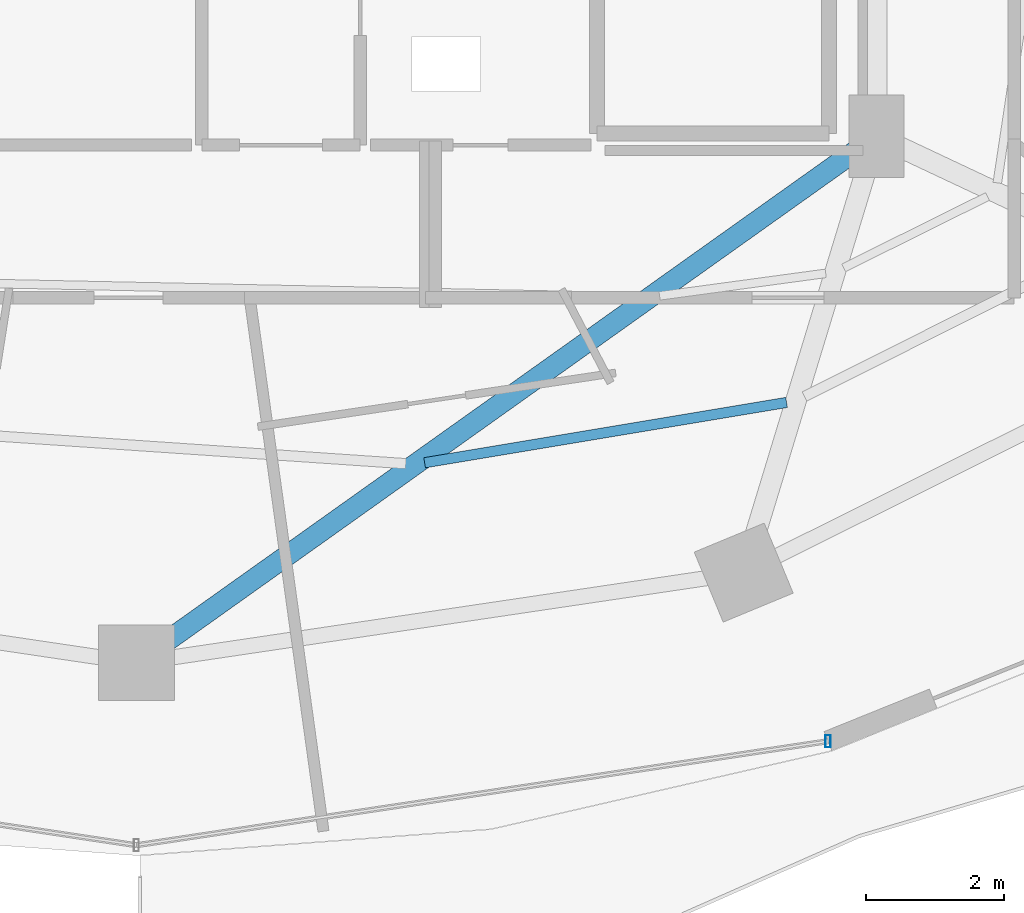
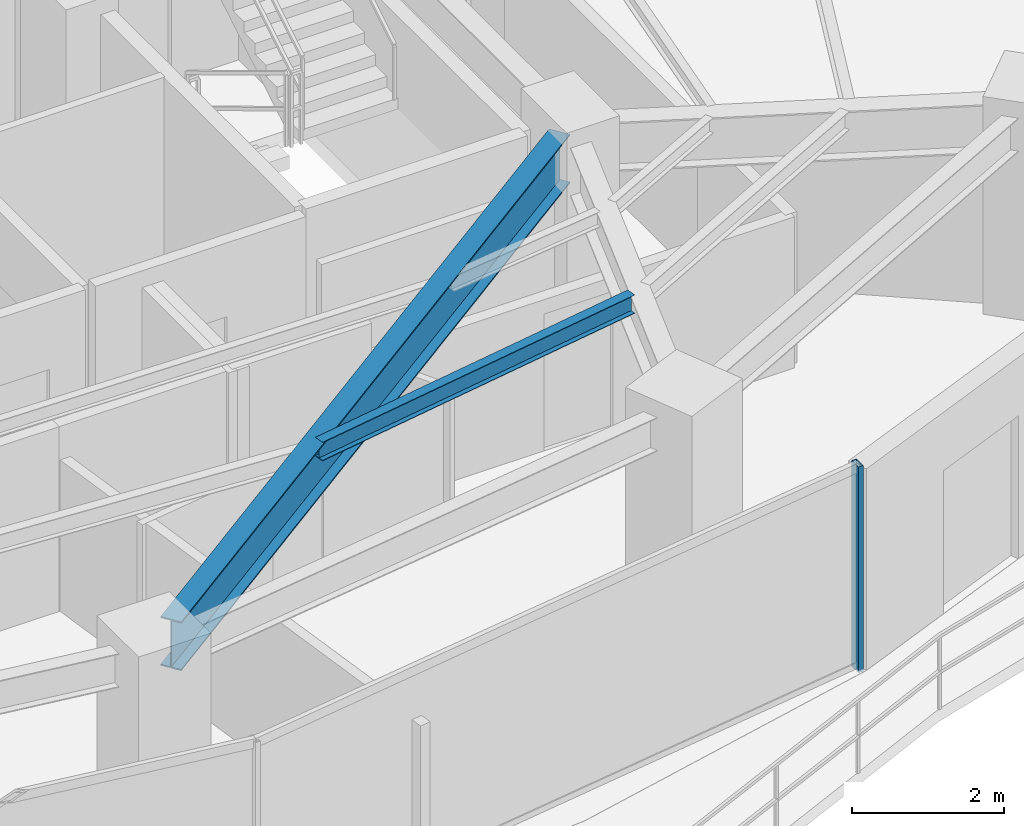
# One storey, part 10 of 30: 2 beams, 1 member, 1 element without a shape of its own.
"""IFC4 building model written with IfcOpenShell, lengths in metres."""

import ifcopenshell
import ifcopenshell.guid

model = None  # the IFC model being written
_history = None  # IfcOwnerHistory: only IFC2X3 demands one
_inside = {}  # id of a spatial element -> (the spatial element, [elements in it])
_under = {}  # id of a project, library or spatial element -> (it, [spatial elements below it])
_declared = {}  # id of a project -> (the project, [libraries it declares])
_typed = {}  # id of a type object -> (the type object, [elements of that type])
_made_of = {}  # id of a material, layer set ... -> (it, [elements and type objects made of it])


def new_model(schema):
    """Start an empty IFC model of exactly this schema.

    Asked for "IFC4X3", IfcOpenShell would pick the latest addendum, in which some entities
    have other attributes; the version numbers below select the first issue.
    IFC2X3 requires an IfcOwnerHistory on every rooted entity: one is made here for all.
    """
    global model, _history
    if schema == "IFC4X3":
        model = ifcopenshell.file(schema_version=(4, 3, 0, 0))
    else:
        model = ifcopenshell.file(schema=schema)
    _inside.clear()
    _under.clear()
    _declared.clear()
    _typed.clear()
    _made_of.clear()
    _history = None
    if model.schema == "IFC2X3":
        org = make("IfcOrganization", Name="unknown")
        user = make(
            "IfcPersonAndOrganization",
            ThePerson=make("IfcPerson", FamilyName="unknown"),
            TheOrganization=org,
        )
        app = make(
            "IfcApplication",
            ApplicationDeveloper=org,
            Version="unknown",
            ApplicationFullName="unknown",
            ApplicationIdentifier="unknown",
        )
        _history = make(
            "IfcOwnerHistory",
            OwningUser=user,
            OwningApplication=app,
            ChangeAction="ADDED",
            CreationDate=0,
        )
    return model


def make(cls, **values):
    """One entity of the class cls with the attributes given. An attribute that is None is left unset."""
    return model.create_entity(
        cls, **{name: value for name, value in values.items() if value is not None}
    )


def rooted(cls, **values):
    """An entity with a GlobalId (a new one), such as an element, a storey or a relation."""
    return make(cls, GlobalId=ifcopenshell.guid.new(), OwnerHistory=_history, **values)


def si_unit(unit_type, name, prefix=None):
    """IfcSIUnit, for example si_unit("LENGTHUNIT", "METRE", prefix="MILLI")."""
    return make("IfcSIUnit", UnitType=unit_type, Prefix=prefix, Name=name)


def assignment(units):
    """IfcUnitAssignment: the units of a project."""
    return None if units is None else make("IfcUnitAssignment", Units=units)


def point(xyz):
    """IfcCartesianPoint."""
    return None if xyz is None else make("IfcCartesianPoint", Coordinates=xyz)


def direction(xyz):
    """IfcDirection."""
    return None if xyz is None else make("IfcDirection", DirectionRatios=xyz)


def frame(location, z_axis=None, x_axis=None):
    """IfcAxis2Placement3D, a coordinate frame: its origin and axes. An axis left out is left unset."""
    return make(
        "IfcAxis2Placement3D",
        Location=point(location),
        Axis=direction(z_axis),
        RefDirection=direction(x_axis),
    )


def frame_2d(location, x_axis=None):
    """IfcAxis2Placement2D, a coordinate frame in the plane: its origin and x axis."""
    return make(
        "IfcAxis2Placement2D", Location=point(location), RefDirection=direction(x_axis)
    )


def origin():
    """The frame at (0, 0, 0) with its axes left unset."""
    return frame((0.0, 0.0, 0.0))


def origin_2d():
    """The frame at (0, 0) in the plane with its x axis left unset."""
    return frame_2d((0.0, 0.0))


def place(relative_to, where):
    """IfcLocalPlacement: puts the frame where relative to a parent placement (None: the world)."""
    return make(
        "IfcLocalPlacement", PlacementRelTo=relative_to, RelativePlacement=where
    )


def context(
    kind, dimensions, precision=None, world=None, true_north=None, identifier=None
):
    """IfcGeometricRepresentationContext, for example the 3D "Model" context."""
    return make(
        "IfcGeometricRepresentationContext",
        ContextIdentifier=identifier,
        ContextType=kind,
        CoordinateSpaceDimension=dimensions,
        Precision=precision,
        WorldCoordinateSystem=world,
        TrueNorth=true_north,
    )


def subcontext(parent, identifier, kind, view, scale=None):
    """IfcGeometricRepresentationSubContext, for example "Body" below "Model"."""
    return make(
        "IfcGeometricRepresentationSubContext",
        ContextIdentifier=identifier,
        ContextType=kind,
        ParentContext=parent,
        TargetScale=scale,
        TargetView=view,
    )


def project(units=None, contexts=None):
    """IfcProject with its units and contexts."""
    return rooted(
        "IfcProject",
        Name="project",
        RepresentationContexts=contexts,
        UnitsInContext=assignment(units),
    )


def spatial(cls, under=None, at=None, **own):
    """A site, building, storey or space (cls), placed at a placement, below another one or the project."""
    s = rooted(cls, ObjectPlacement=at, **own)
    if under is not None:
        _under.setdefault(under.id(), (under, []))[1].append(s)
    return s


def profile(cls, at=None, kind="AREA", **sizes):
    """A parametric profile (cls). Its sizes go by their IFC names, for example OverallWidth=200.0."""
    return make(cls, ProfileType=kind, Position=at, **sizes)


def hollow_rectangle(**sizes):
    """IfcRectangleHollowProfileDef."""
    return profile("IfcRectangleHollowProfileDef", **sizes)


def i_section(**sizes):
    """IfcIShapeProfileDef."""
    return profile("IfcIShapeProfileDef", **sizes)


def extrude(swept, where, along, depth):
    """IfcExtrudedAreaSolid: the profile swept, set in the frame where, extruded along a direction by depth."""
    return make(
        "IfcExtrudedAreaSolid",
        SweptArea=swept,
        Position=where,
        ExtrudedDirection=direction(along),
        Depth=depth,
    )


def shape(context_of_items, identifier, shape_type, items):
    """IfcShapeRepresentation: the items that make up one representation, for example the "Body"."""
    return make(
        "IfcShapeRepresentation",
        ContextOfItems=context_of_items,
        RepresentationIdentifier=identifier,
        RepresentationType=shape_type,
        Items=items,
    )


def material(Name=None, Category=None):
    """IfcMaterial."""
    return make("IfcMaterial", Name=Name, Category=Category)


def material_profile(
    of_material, cross_section, Name=None, Category=None, Priority=None
):
    """IfcMaterialProfile: a cross section and its material."""
    return make(
        "IfcMaterialProfile",
        Name=Name,
        Material=of_material,
        Profile=cross_section,
        Priority=Priority,
        Category=Category,
    )


def profile_set(profiles, Name=None, composite=None):
    """IfcMaterialProfileSet."""
    return make(
        "IfcMaterialProfileSet",
        Name=Name,
        MaterialProfiles=profiles,
        CompositeProfile=composite,
    )


def made_of(thing, what):
    """Note that an element or type object is made of a material, layer set ...; save() writes the relation."""
    if what is not None:
        _made_of.setdefault(what.id(), (what, []))[1].append(thing)
    return thing


def type_object(cls, material=None, **own):
    """A type object (cls), such as IfcWallType, which elements share."""
    return made_of(rooted(cls, **own), material)


def element(
    cls,
    number,
    at=None,
    inside=None,
    cuts=None,
    type_object=None,
    material=None,
    context=None,
    identifier="Body",
    shape_type=None,
    held_by="IfcProductDefinitionShape",
    body=None,
    shapes=None,
    **own,
):
    """One element of the class cls, such as IfcWall. Its Tag is "e" and its number.

    at: its placement. inside: the storey or other place that contains it. cuts: it is an
    opening in that element (IfcRelVoidsElement). A single representation is given by context,
    identifier, shape_type and body (its items); several are given by shapes. held_by: the class
    of the entity that holds the representations. save() writes the other relations.
    """
    e = rooted(cls, Tag="e%d" % number, ObjectPlacement=at, **own)
    if body is not None:
        shapes = [shape(context, identifier, shape_type, body)]
    if shapes is not None:
        e.Representation = make(held_by, Representations=shapes)
    if inside is not None:
        _inside.setdefault(inside.id(), (inside, []))[1].append(e)
    if cuts is not None:
        rooted(
            "IfcRelVoidsElement", RelatingBuildingElement=cuts, RelatedOpeningElement=e
        )
    if type_object is not None:
        _typed.setdefault(type_object.id(), (type_object, []))[1].append(e)
    return made_of(e, material)


def aggregate(whole, parts):
    """IfcRelAggregates: a whole, such as a stair, and the parts it consists of."""
    return rooted("IfcRelAggregates", RelatingObject=whole, RelatedObjects=parts)


def save(model, path):
    """Write the relations noted so far, then the file.

    IfcRelAggregates (storeys below a building ...), IfcRelContainedInSpatialStructure (elements
    in a storey), IfcRelDefinesByType, IfcRelAssociatesMaterial and IfcRelDeclares: one each for
    every whole, place, type object, material and project.
    """
    for whole, parts in _under.values():
        aggregate(whole, parts)
    for where, things in _inside.values():
        rooted(
            "IfcRelContainedInSpatialStructure",
            RelatedElements=things,
            RelatingStructure=where,
        )
    for kind, things in _typed.values():
        rooted("IfcRelDefinesByType", RelatedObjects=things, RelatingType=kind)
    for what, things in _made_of.values():
        rooted("IfcRelAssociatesMaterial", RelatedObjects=things, RelatingMaterial=what)
    for by, libraries in _declared.values():
        rooted("IfcRelDeclares", RelatingContext=by, RelatedDefinitions=libraries)
    model.write(path)


model = new_model("IFC4")

# Units and contexts
model_context = context("Model", 3, precision=1e-05, world=origin(), true_north=direction((0.0, 1.0)))
body_context = subcontext(model_context, "Body", "Model", "MODEL_VIEW")
ifc_project = project(units=[si_unit("LENGTHUNIT", "METRE"), si_unit("AREAUNIT", "SQUARE_METRE"), si_unit("VOLUMEUNIT", "CUBIC_METRE"), si_unit("PLANEANGLEUNIT", "RADIAN"), si_unit("MASSUNIT", "GRAM", prefix="KILO")], contexts=[model_context])

# Site, building, storey
site_placement = place(None, origin())
site = spatial("IfcSite", under=ifc_project, at=site_placement, CompositionType="ELEMENT")
building_placement = place(site_placement, origin())
building = spatial("IfcBuilding", under=site, at=building_placement, Name="Vorneva Point Tower", CompositionType="ELEMENT")
storey_placement = place(building_placement, frame((0.0, 0.0, 96.300048828125)))
storey = spatial("IfcBuildingStorey", under=building, at=storey_placement, Name="L25", CompositionType="ELEMENT", Elevation=96.300048828125)

# Beams
ifc_material_1 = material(Name="Steel S355", Category="steel")
ifc_material_profile_1 = material_profile(ifc_material_1, i_section(OverallWidth=0.300048828125, OverallDepth=0.7880859375, WebThickness=0.014404296875, FlangeThickness=0.02197265625, at=origin_2d()), Name="80Sh1")
ifc_profile_set_1 = profile_set([ifc_material_profile_1], Name="Steel S355")
beam_type_1 = type_object("IfcBeamType", Name="BM-GRD-80Sh1", PredefinedType="USERDEFINED", material=ifc_profile_set_1)
beam_1_placement = place(storey_placement, frame((38.438232421875, 9.11181640625, 2.845947265625), z_axis=(0.814750142675, 0.5798122153, 0.0), x_axis=(-0.5798122153, 0.814750142675, 0.0)))
element("IfcBeam", 1, at=beam_1_placement, inside=storey, type_object=beam_type_1, Name="L25 Radial Primary Girder 13", ObjectType="GIRDER", PredefinedType="USERDEFINED", context=body_context, shape_type="SweptSolid", body=[
    extrude(i_section(OverallWidth=0.300048828125, OverallDepth=0.7880859375, WebThickness=0.014404296875, FlangeThickness=0.02197265625, at=origin_2d()), origin(), (0.0, 0.0, 1.0), 12.316162109375),
])
ifc_material_profile_2 = material_profile(ifc_material_1, i_section(OverallWidth=0.14892578125, OverallDepth=0.298095703125, WebThickness=0.005615234375, FlangeThickness=0.008056640625, at=origin_2d()), Name="30B1")
ifc_profile_set_2 = profile_set([ifc_material_profile_2], Name="Steel S355")
beam_type_2 = type_object("IfcBeamType", Name="BM-JST-30B1", PredefinedType="JOIST", material=ifc_profile_set_2)
beam_2_placement = place(storey_placement, frame((42.18701171875, 11.705322265625, 3.091064453125), z_axis=(0.986391447478, 0.164413844743, 0.0), x_axis=(-0.164413844743, 0.986391447478, 0.0)))
element("IfcBeam", 2, at=beam_2_placement, inside=storey, type_object=beam_type_2, Name="L25 Secondary Floor Beam 1.13", PredefinedType="JOIST", context=body_context, shape_type="SweptSolid", body=[
    extrude(i_section(OverallWidth=0.14892578125, OverallDepth=0.298095703125, WebThickness=0.005615234375, FlangeThickness=0.008056640625, at=origin_2d()), origin(), (0.0, 0.0, 1.0), 5.329345703125),
])

# Curtain wall, member
ifc_material_2 = material(Name="Pale anodised aluminium", Category="aluminium")
curtain_wall_type = type_object("IfcCurtainWallType", Name="CW-HTL-SYS", PredefinedType="NOTDEFINED", material=ifc_material_2)
curtain_wall_placement = place(storey_placement, origin())
curtain_wall = element("IfcCurtainWall", 3, at=curtain_wall_placement, inside=storey, type_object=curtain_wall_type, Name="L25 Unitised Curtain Wall CW-L25-R04", PredefinedType="NOTDEFINED")
ifc_material_profile_3 = material_profile(ifc_material_2, hollow_rectangle(XDim=0.074951171875, YDim=0.179931640625, WallThickness=0.00390625, at=origin_2d()), Name="AL-MUL 180x75x4")
ifc_profile_set_3 = profile_set([ifc_material_profile_3], Name="Pale anodised aluminium")
member_type = type_object("IfcMemberType", Name="CW-MUL-180", PredefinedType="MULLION", material=ifc_profile_set_3)
member_placement = place(storey_placement, frame((48.04541015625, 7.660888671875, -0.0400390625), z_axis=(0.0, 0.0, 1.0), x_axis=(1.0, 0.0, 0.0)))
member = element("IfcMember", 4, at=member_placement, type_object=member_type, Name="CW-L25-R04 Mullion 04", PredefinedType="MULLION", context=body_context, shape_type="SweptSolid", body=[
    extrude(hollow_rectangle(XDim=0.074951171875, YDim=0.179931640625, WallThickness=0.00390625, at=origin_2d()), origin(), (0.0, 0.0, 1.0), 3.31005859375),
])
aggregate(curtain_wall, [member])

save(model, "model.ifc")
